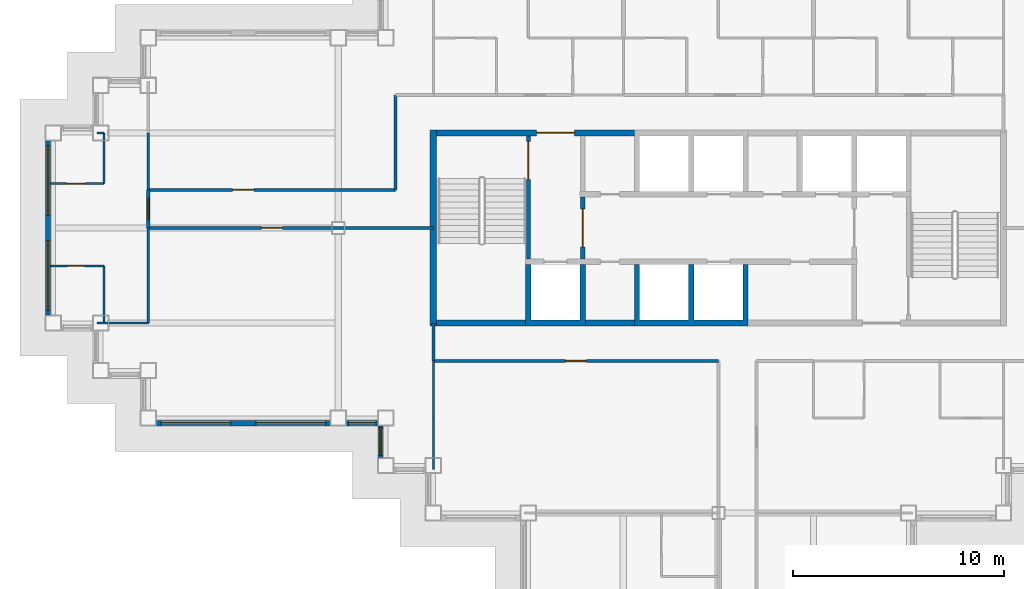
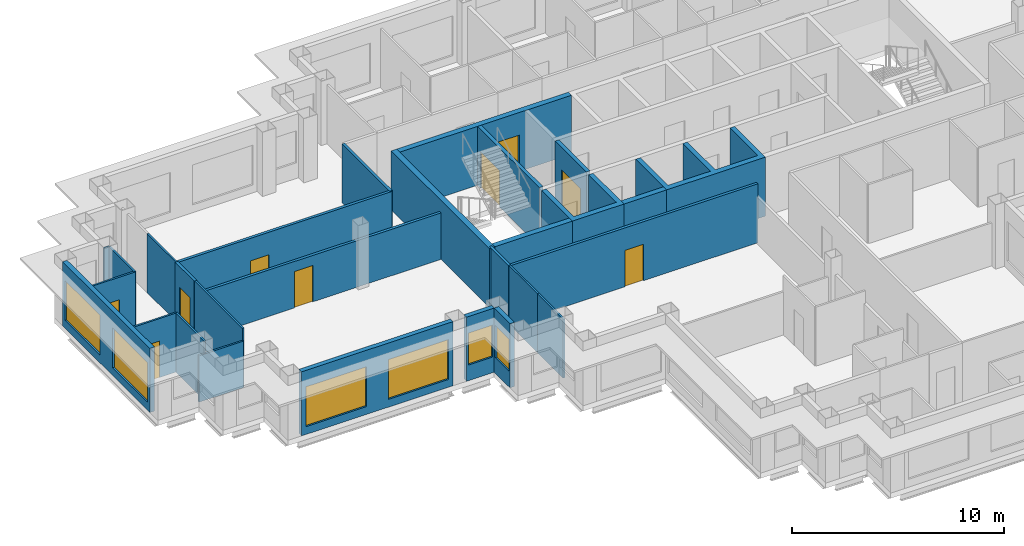
# One storey, part 4 of 13: 28 walls, 9 doors, 6 windows, 15 openings.
"""IFC4 building model written with IfcOpenShell, lengths in metres."""

from ifc_helpers import new_model, si_unit, direction, frame, frame_2d, origin, place, context, subcontext, project, spatial, polyline, rectangle, outline, extrude, material, layer, layer_set, type_object, element, fill, save


model = new_model("IFC4")

# Units and contexts
model_context = context("Model", 3, precision=1e-05, world=origin(), true_north=direction((0.0, 1.0)))
body_context = subcontext(model_context, "Body", "Model", "MODEL_VIEW")
ifc_project = project(units=[si_unit("LENGTHUNIT", "METRE"), si_unit("AREAUNIT", "SQUARE_METRE"), si_unit("VOLUMEUNIT", "CUBIC_METRE"), si_unit("PLANEANGLEUNIT", "RADIAN"), si_unit("MASSUNIT", "GRAM", prefix="KILO")], contexts=[model_context])

# Site, building, storey
site_placement = place(None, origin())
site = spatial("IfcSite", under=ifc_project, at=site_placement, CompositionType="ELEMENT")
building_placement = place(site_placement, origin())
building = spatial("IfcBuilding", under=site, at=building_placement, Name="Caravel Reach Hotel and Residences", CompositionType="ELEMENT")
storey_placement = place(building_placement, frame((0.0, 0.0, 169.10009765625)))
storey = spatial("IfcBuildingStorey", under=building, at=storey_placement, Name="L42", CompositionType="ELEMENT", Elevation=169.10009765625)

# Wall, opening, door
ifc_material_1 = material(Name="Gypsum board on steel stud", Category="steel")
ifc_layer_1 = layer(ifc_material_1, 0.10009765625)
ifc_layer_set_1 = layer_set([ifc_layer_1], Name="Bathroom pod wall 100 mm")
wall_type_1 = type_object("IfcWallType", Name="Bathroom pod wall 100 mm", PredefinedType="PARTITIONING", material=ifc_layer_set_1)
wall_1_placement = place(storey_placement, frame((-0.125, 25.199951171875, 0.0), z_axis=(0.0, 0.0, 1.0), x_axis=(1.0, 0.0, 0.0)))
wall_1 = element("IfcWall", 1, at=wall_1_placement, inside=storey, type_object=wall_type_1, Name="L42 wall w081", PredefinedType="PARTITIONING", context=body_context, shape_type="SweptSolid", body=[
    extrude(rectangle(XDim=2.52490234375, YDim=0.10009765625, at=frame_2d((1.262451171875, 0.0))), origin(), (0.0, 0.0, 1.0), 3.39990234375),
])
opening_1_placement = place(wall_1_placement, frame((0.800048828125, 0.0, 0.0)))
opening_1 = element("IfcOpeningElement", 2, at=opening_1_placement, cuts=wall_1, Name="Opening D42-041", PredefinedType="OPENING", context=body_context, shape_type="SweptSolid", body=[
    extrude(rectangle(XDim=0.800048828125, YDim=2.10009765625, at=frame_2d((0.39990234375, 1.050048828125))), frame((0.0, 0.06005859375, 0.0), z_axis=(0.0, -1.0, 0.0), x_axis=(1.0, 0.0, 0.0)), (0.0, 0.0, 1.0), 0.1201171875),
])
ifc_material_2 = material(Name="Timber and steel door leaf", Category="steel")
door_type_1 = type_object("IfcDoorType", Name="Bathroom door 800 x 2100", OperationType="SINGLE_SWING_LEFT", PredefinedType="DOOR", material=ifc_material_2)
door_1_placement = place(opening_1_placement, origin())
door_1 = element("IfcDoor", 3, at=door_1_placement, inside=storey, type_object=door_type_1, Name="door D42-041", OperationType="SINGLE_SWING_RIGHT", OverallHeight=2.10009765625, OverallWidth=0.800048828125, PredefinedType="DOOR", context=body_context, shape_type="SweptSolid", body=[
    extrude(rectangle(XDim=0.800048828125, YDim=2.10009765625, at=frame_2d((0.39990234375, 1.050048828125))), frame((0.0, 0.02490234375, 0.0), z_axis=(0.0, -1.0, 0.0), x_axis=(1.0, 0.0, 0.0)), (0.0, 0.0, 1.0), 0.050048828125),
])
fill(opening_1, door_1)

# Walls
wall_2_placement = place(storey_placement, frame((2.39990234375, 22.5, 0.0), z_axis=(0.0, 0.0, 1.0), x_axis=(0.0, 1.0, 0.0)))
element("IfcWall", 4, at=wall_2_placement, inside=storey, type_object=wall_type_1, Name="L42 wall w091", PredefinedType="PARTITIONING", context=body_context, shape_type="SweptSolid", body=[
    extrude(rectangle(XDim=2.699951171875, YDim=0.10009765625, at=frame_2d((1.35009765625, 0.0))), origin(), (0.0, 0.0, 1.0), 3.39990234375),
])
ifc_material_3 = material(Name="Concrete C60", Category="concrete")
ifc_layer_2 = layer(ifc_material_3, 0.300048828125)
ifc_layer_set_2 = layer_set([ifc_layer_2], Name="Core wall 300 mm EI 120")
wall_type_2 = type_object("IfcWallType", Name="Core wall 300 mm EI 120", PredefinedType="SHEAR", material=ifc_layer_set_2)
wall_3_placement = place(storey_placement, frame((18.14990234375, 22.5, 0.0), z_axis=(0.0, 0.0, 1.0), x_axis=(1.0, 0.0, 0.0)))
element("IfcWall", 5, at=wall_3_placement, inside=storey, type_object=wall_type_2, Name="L42 core wall S1", PredefinedType="SHEAR", context=body_context, shape_type="SweptSolid", body=[
    extrude(rectangle(XDim=4.22509765625, YDim=0.300048828125, at=frame_2d((2.112548828125, 0.0))), origin(), (0.0, 0.0, 1.0), 3.39990234375),
])
wall_4_placement = place(storey_placement, frame((25.196533203125, 22.5, 0.0), z_axis=(0.0, 0.0, 1.0), x_axis=(1.0, 0.0, 0.0)))
element("IfcWall", 6, at=wall_4_placement, inside=storey, type_object=wall_type_2, Name="L42 core wall S2", PredefinedType="SHEAR", context=body_context, shape_type="SweptSolid", body=[
    extrude(rectangle(XDim=2.3212890625, YDim=0.300048828125, at=frame_2d((1.16064453125, 0.0))), origin(), (0.0, 0.0, 1.0), 3.39990234375),
])

# Wall, opening, door
wall_5_placement = place(storey_placement, frame((18.14990234375, 31.5, 0.0), z_axis=(0.0, 0.0, 1.0), x_axis=(1.0, 0.0, 0.0)))
wall_5 = element("IfcWall", 7, at=wall_5_placement, inside=storey, type_object=wall_type_2, Name="L42 core wall N1", PredefinedType="SHEAR", context=body_context, shape_type="SweptSolid", body=[
    extrude(rectangle(XDim=9.367919921875, YDim=0.300048828125, at=frame_2d((4.68408203125, 0.0))), origin(), (0.0, 0.0, 1.0), 3.39990234375),
])
opening_2_placement = place(wall_5_placement, frame((4.735595703125, 0.0, 0.0)))
opening_2 = element("IfcOpeningElement", 8, at=opening_2_placement, cuts=wall_5, Name="Opening D42-014", PredefinedType="OPENING", context=body_context, shape_type="SweptSolid", body=[
    extrude(rectangle(XDim=1.800048828125, YDim=2.10009765625, at=frame_2d((0.89990234375, 1.050048828125))), frame((0.0, 0.159912109375, 0.0), z_axis=(0.0, -1.0, 0.0), x_axis=(1.0, 0.0, 0.0)), (0.0, 0.0, 1.0), 0.320068359375),
])
ifc_material_4 = material(Name="Steel fire door leaf", Category="steel")
door_type_2 = type_object("IfcDoorType", Name="Fire lobby door pair 1800 x 2100 EI 90", OperationType="DOUBLE_DOOR_SINGLE_SWING", PredefinedType="DOOR", material=ifc_material_4)
door_2_placement = place(opening_2_placement, origin())
door_2 = element("IfcDoor", 9, at=door_2_placement, inside=storey, type_object=door_type_2, Name="lobby N door pair to corridor", OperationType="DOUBLE_DOOR_SINGLE_SWING", OverallHeight=2.10009765625, OverallWidth=1.800048828125, PredefinedType="DOOR", context=body_context, shape_type="SweptSolid", body=[
    extrude(rectangle(XDim=1.800048828125, YDim=2.10009765625, at=frame_2d((0.89990234375, 1.050048828125))), frame((0.0, 0.02490234375, 0.0), z_axis=(0.0, -1.0, 0.0), x_axis=(1.0, 0.0, 0.0)), (0.0, 0.0, 1.0), 0.050048828125),
])
fill(opening_2, door_2)

# Wall
wall_6_placement = place(storey_placement, frame((18.0, 22.35009765625, 0.0), z_axis=(0.0, 0.0, 1.0), x_axis=(0.0, 1.0, 0.0)))
element("IfcWall", 10, at=wall_6_placement, inside=storey, type_object=wall_type_2, Name="L42 core wall W", PredefinedType="SHEAR", context=body_context, shape_type="SweptSolid", body=[
    extrude(rectangle(XDim=9.2998046875, YDim=0.300048828125, at=frame_2d((4.64990234375, 0.0))), origin(), (0.0, 0.0, 1.0), 3.39990234375),
])

# Wall, opening, door
ifc_material_5 = material(Name="Gypsum board on steel stud, fire-rated", Category="steel")
ifc_layer_3 = layer(ifc_material_5, 0.14990234375)
ifc_layer_set_3 = layer_set([ifc_layer_3], Name="Corridor wall 150 mm EI 60")
wall_type_3 = type_object("IfcWallType", Name="Corridor wall 150 mm EI 60", PredefinedType="PARTITIONING", material=ifc_layer_set_3)
wall_7_placement = place(storey_placement, frame((18.0, 20.699951171875, 0.0), z_axis=(0.0, 0.0, 1.0), x_axis=(1.0, 0.0, 0.0)))
wall_7 = element("IfcWall", 11, at=wall_7_placement, inside=storey, type_object=wall_type_3, Name="L42 wall w005", PredefinedType="PARTITIONING", context=body_context, shape_type="SweptSolid", body=[
    extrude(rectangle(XDim=13.5, YDim=0.14990234375, at=frame_2d((6.75, 0.0))), origin(), (0.0, 0.0, 1.0), 3.39990234375),
])
opening_3_placement = place(wall_7_placement, frame((6.25, 0.0, 0.0)))
opening_3 = element("IfcOpeningElement", 12, at=opening_3_placement, cuts=wall_7, Name="Opening D42-032", PredefinedType="OPENING", context=body_context, shape_type="SweptSolid", body=[
    extrude(rectangle(XDim=1.0, YDim=2.10009765625, at=frame_2d((0.5, 1.050048828125))), frame((0.0, 0.0849609375, 0.0), z_axis=(0.0, -1.0, 0.0), x_axis=(1.0, 0.0, 0.0)), (0.0, 0.0, 1.0), 0.169921875),
])
ifc_material_6 = material(Name="Steel fire door leaf", Category="steel")
door_type_3 = type_object("IfcDoorType", Name="Fire door 1000 x 2100 EI 60", OperationType="SINGLE_SWING_LEFT", PredefinedType="DOOR", material=ifc_material_6)
door_3_placement = place(opening_3_placement, origin())
door_3 = element("IfcDoor", 13, at=door_3_placement, inside=storey, type_object=door_type_3, Name="door D42-032", OperationType="SINGLE_SWING_RIGHT", OverallHeight=2.10009765625, OverallWidth=1.0, PredefinedType="DOOR", context=body_context, shape_type="SweptSolid", body=[
    extrude(rectangle(XDim=1.0, YDim=2.10009765625, at=frame_2d((0.5, 1.050048828125))), frame((0.0, 0.02490234375, 0.0), z_axis=(0.0, -1.0, 0.0), x_axis=(1.0, 0.0, 0.0)), (0.0, 0.0, 1.0), 0.050048828125),
])
fill(opening_3, door_3)

wall_8_placement = place(storey_placement, frame((4.5, 27.0, 0.0), z_axis=(0.0, 0.0, 1.0), x_axis=(1.0, 0.0, 0.0)))
wall_8 = element("IfcWall", 14, at=wall_8_placement, inside=storey, type_object=wall_type_3, Name="L42 wall w008", PredefinedType="PARTITIONING", context=body_context, shape_type="SweptSolid", body=[
    extrude(rectangle(XDim=13.5, YDim=0.14990234375, at=frame_2d((6.75, 0.0))), origin(), (0.0, 0.0, 1.0), 2.679931640625),
])
opening_4_placement = place(wall_8_placement, frame((5.35009765625, 0.0, 0.0)))
opening_4 = element("IfcOpeningElement", 15, at=opening_4_placement, cuts=wall_8, Name="Opening D42-029", PredefinedType="OPENING", context=body_context, shape_type="SweptSolid", body=[
    extrude(rectangle(XDim=1.0, YDim=2.10009765625, at=frame_2d((0.5, 1.050048828125))), frame((0.0, 0.0849609375, 0.0), z_axis=(0.0, -1.0, 0.0), x_axis=(1.0, 0.0, 0.0)), (0.0, 0.0, 1.0), 0.169921875),
])
door_4_placement = place(opening_4_placement, origin())
door_4 = element("IfcDoor", 16, at=door_4_placement, inside=storey, type_object=door_type_3, Name="door D42-029", OperationType="SINGLE_SWING_LEFT", OverallHeight=2.10009765625, OverallWidth=1.0, PredefinedType="DOOR", context=body_context, shape_type="SweptSolid", body=[
    extrude(rectangle(XDim=1.0, YDim=2.10009765625, at=frame_2d((0.5, 1.050048828125))), frame((0.0, 0.02490234375, 0.0), z_axis=(0.0, -1.0, 0.0), x_axis=(1.0, 0.0, 0.0)), (0.0, 0.0, 1.0), 0.050048828125),
])
fill(opening_4, door_4)

wall_9_placement = place(storey_placement, frame((4.5, 28.800048828125, 0.0), z_axis=(0.0, 0.0, 1.0), x_axis=(1.0, 0.0, 0.0)))
wall_9 = element("IfcWall", 17, at=wall_9_placement, inside=storey, type_object=wall_type_3, Name="L42 wall w010", PredefinedType="PARTITIONING", context=body_context, shape_type="SweptSolid", body=[
    extrude(rectangle(XDim=11.698974609375, YDim=0.14990234375, at=frame_2d((5.849609375, 0.0))), origin(), (0.0, 0.0, 1.0), 3.39990234375),
])
opening_5_placement = place(wall_9_placement, frame((4.0, 0.0, 0.0)))
opening_5 = element("IfcOpeningElement", 18, at=opening_5_placement, cuts=wall_9, Name="Opening D42-028", PredefinedType="OPENING", context=body_context, shape_type="SweptSolid", body=[
    extrude(rectangle(XDim=1.0, YDim=2.10009765625, at=frame_2d((0.5, 1.050048828125))), frame((0.0, 0.0849609375, 0.0), z_axis=(0.0, -1.0, 0.0), x_axis=(1.0, 0.0, 0.0)), (0.0, 0.0, 1.0), 0.169921875),
])
door_5_placement = place(opening_5_placement, origin())
door_5 = element("IfcDoor", 19, at=door_5_placement, inside=storey, type_object=door_type_3, Name="door D42-028", OperationType="SINGLE_SWING_RIGHT", OverallHeight=2.10009765625, OverallWidth=1.0, PredefinedType="DOOR", context=body_context, shape_type="SweptSolid", body=[
    extrude(rectangle(XDim=1.0, YDim=2.10009765625, at=frame_2d((0.5, 1.050048828125))), frame((0.0, 0.02490234375, 0.0), z_axis=(0.0, -1.0, 0.0), x_axis=(1.0, 0.0, 0.0)), (0.0, 0.0, 1.0), 0.050048828125),
])
fill(opening_5, door_5)

# Walls
wall_10_placement = place(storey_placement, frame((16.199951171875, 28.801025390625, 0.0), z_axis=(0.0, 0.0, 1.0), x_axis=(0.0, 1.0, 0.0)))
element("IfcWall", 20, at=wall_10_placement, inside=storey, type_object=wall_type_3, Name="L42 wall w020", PredefinedType="PARTITIONING", context=body_context, shape_type="SweptSolid", body=[
    extrude(rectangle(XDim=4.4990234375, YDim=0.14990234375, at=frame_2d((2.24951171875, 0.0))), origin(), (0.0, 0.0, 1.0), 3.39990234375),
])
wall_11_placement = place(storey_placement, frame((18.0, 20.699951171875, 0.0), z_axis=(0.0, 0.0, 1.0), x_axis=(0.0, 1.0, 0.0)))
element("IfcWall", 21, at=wall_11_placement, inside=storey, type_object=wall_type_3, Name="L42 wall w021", PredefinedType="PARTITIONING", context=body_context, shape_type="SweptSolid", body=[
    extrude(rectangle(XDim=1.800048828125, YDim=0.14990234375, at=frame_2d((0.89990234375, 0.0))), origin(), (0.0, 0.0, 1.0), 3.39990234375),
])

# Wall, opening, door
wall_12_placement = place(storey_placement, frame((4.5, 27.0, 0.0), z_axis=(0.0, 0.0, 1.0), x_axis=(0.0, 1.0, 0.0)))
wall_12 = element("IfcWall", 22, at=wall_12_placement, inside=storey, type_object=wall_type_3, Name="L42 wall w027", PredefinedType="PARTITIONING", context=body_context, shape_type="SweptSolid", body=[
    extrude(rectangle(XDim=1.800048828125, YDim=0.14990234375, at=frame_2d((0.89990234375, 0.0))), origin(), (0.0, 0.0, 1.0), 3.39990234375),
])
opening_6_placement = place(wall_12_placement, frame((0.39990234375, 0.0, 0.0)))
opening_6 = element("IfcOpeningElement", 23, at=opening_6_placement, cuts=wall_12, Name="Opening D42-040", PredefinedType="OPENING", context=body_context, shape_type="SweptSolid", body=[
    extrude(rectangle(XDim=1.0, YDim=2.199951171875, at=frame_2d((0.5, 1.10009765625))), frame((0.0, 0.0849609375, 0.0), z_axis=(0.0, -1.0, 0.0), x_axis=(1.0, 0.0, 0.0)), (0.0, 0.0, 1.0), 0.169921875),
])
ifc_material_7 = material(Name="Steel fire door leaf", Category="steel")
door_type_4 = type_object("IfcDoorType", Name="Flat entrance door 1000 x 2200 EI 60", OperationType="SINGLE_SWING_LEFT", PredefinedType="DOOR", material=ifc_material_7)
door_6_placement = place(opening_6_placement, origin())
door_6 = element("IfcDoor", 24, at=door_6_placement, inside=storey, type_object=door_type_4, Name="door D42-040", OperationType="SINGLE_SWING_RIGHT", OverallHeight=2.199951171875, OverallWidth=1.0, PredefinedType="DOOR", context=body_context, shape_type="SweptSolid", body=[
    extrude(rectangle(XDim=1.0, YDim=2.199951171875, at=frame_2d((0.5, 1.10009765625))), frame((0.0, 0.02490234375, 0.0), z_axis=(0.0, -1.0, 0.0), x_axis=(1.0, 0.0, 0.0)), (0.0, 0.0, 1.0), 0.050048828125),
])
fill(opening_6, door_6)

# Wall, openings, windows
ifc_material_8 = material(Name="Insulated rainscreen wall, aluminium cladding", Category="aluminium")
ifc_layer_4 = layer(ifc_material_8, 0.25)
ifc_layer_set_4 = layer_set([ifc_layer_4], Name="EW1 Tower rainscreen wall")
wall_type_4 = type_object("IfcWallType", Name="EW1 Tower rainscreen wall", PredefinedType="SOLIDWALL", material=ifc_layer_set_4)
wall_13_placement = place(storey_placement, frame((-0.25, 31.125, 0.0), z_axis=(0.0, 0.0, 1.0), x_axis=(0.0, -1.0, 0.0)))
wall_13 = element("IfcWall", 25, at=wall_13_placement, inside=storey, type_object=wall_type_4, Name="External wall L42 W38.1", PredefinedType="SOLIDWALL", context=body_context, shape_type="SweptSolid", body=[
    extrude(rectangle(XDim=8.25, YDim=0.25, at=frame_2d((4.125, 0.0))), origin(), (0.0, 0.0, 1.0), 3.699951171875),
])
opening_7_placement = place(wall_13_placement, frame((0.22509765625, 0.0, 0.449951171875)))
opening_7 = element("IfcOpeningElement", 26, at=opening_7_placement, cuts=wall_13, Name="Opening WN15", PredefinedType="OPENING", context=body_context, shape_type="SweptSolid", body=[
    extrude(rectangle(XDim=3.300048828125, YDim=2.300048828125, at=frame_2d((1.64990234375, 1.14990234375))), frame((0.0, 0.135009765625, 0.0), z_axis=(0.0, -1.0, 0.0), x_axis=(1.0, 0.0, 0.0)), (0.0, 0.0, 1.0), 0.27001953125),
])
opening_8_placement = place(wall_13_placement, frame((4.72509765625, 0.0, 0.449951171875)))
opening_8 = element("IfcOpeningElement", 27, at=opening_8_placement, cuts=wall_13, Name="Opening WN15", PredefinedType="OPENING", context=body_context, shape_type="SweptSolid", body=[
    extrude(rectangle(XDim=3.300048828125, YDim=2.300048828125, at=frame_2d((1.64990234375, 1.14990234375))), frame((0.0, 0.135009765625, 0.0), z_axis=(0.0, -1.0, 0.0), x_axis=(1.0, 0.0, 0.0)), (0.0, 0.0, 1.0), 0.27001953125),
])
ifc_material_9 = material(Name="Dark low-e glazing in black aluminium frame", Category="aluminium")
window_type_1 = type_object("IfcWindowType", Name="Residence living window 3300 x 2300", PartitioningType="SINGLE_PANEL", PredefinedType="WINDOW", material=ifc_material_9)
window_1_placement = place(opening_7_placement, origin())
window_1 = element("IfcWindow", 28, at=window_1_placement, inside=storey, type_object=window_type_1, Name="Window L42 W38.1.1", OverallHeight=2.300048828125, OverallWidth=3.300048828125, PartitioningType="SINGLE_PANEL", PredefinedType="WINDOW", context=body_context, shape_type="SweptSolid", body=[
    extrude(rectangle(XDim=3.300048828125, YDim=2.300048828125, at=frame_2d((1.64990234375, 1.14990234375))), frame((0.0, 0.030029296875, 0.0), z_axis=(0.0, -1.0, 0.0), x_axis=(1.0, 0.0, 0.0)), (0.0, 0.0, 1.0), 0.06005859375),
])
fill(opening_7, window_1)
window_2_placement = place(opening_8_placement, origin())
window_2 = element("IfcWindow", 29, at=window_2_placement, inside=storey, type_object=window_type_1, Name="Window L42 W38.1.2", OverallHeight=2.300048828125, OverallWidth=3.300048828125, PartitioningType="SINGLE_PANEL", PredefinedType="WINDOW", context=body_context, shape_type="SweptSolid", body=[
    extrude(rectangle(XDim=3.300048828125, YDim=2.300048828125, at=frame_2d((1.64990234375, 1.14990234375))), frame((0.0, 0.030029296875, 0.0), z_axis=(0.0, -1.0, 0.0), x_axis=(1.0, 0.0, 0.0)), (0.0, 0.0, 1.0), 0.06005859375),
])
fill(opening_8, window_2)

wall_14_placement = place(storey_placement, frame((4.875, 17.75, 0.0), z_axis=(0.0, 0.0, 1.0), x_axis=(1.0, 0.0, 0.0)))
wall_14 = element("IfcWall", 30, at=wall_14_placement, inside=storey, type_object=wall_type_4, Name="External wall L42 S43.1", PredefinedType="SOLIDWALL", context=body_context, shape_type="SweptSolid", body=[
    extrude(rectangle(XDim=8.25, YDim=0.25, at=frame_2d((4.125, 0.0))), origin(), (0.0, 0.0, 1.0), 3.699951171875),
])
opening_9_placement = place(wall_14_placement, frame((0.22509765625, 0.0, 0.449951171875)))
opening_9 = element("IfcOpeningElement", 31, at=opening_9_placement, cuts=wall_14, Name="Opening WN15", PredefinedType="OPENING", context=body_context, shape_type="SweptSolid", body=[
    extrude(rectangle(XDim=3.300048828125, YDim=2.300048828125, at=frame_2d((1.64990234375, 1.14990234375))), frame((0.0, 0.135009765625, 0.0), z_axis=(0.0, -1.0, 0.0), x_axis=(1.0, 0.0, 0.0)), (0.0, 0.0, 1.0), 0.27001953125),
])
opening_10_placement = place(wall_14_placement, frame((4.72509765625, 0.0, 0.449951171875)))
opening_10 = element("IfcOpeningElement", 32, at=opening_10_placement, cuts=wall_14, Name="Opening WN15", PredefinedType="OPENING", context=body_context, shape_type="SweptSolid", body=[
    extrude(rectangle(XDim=3.300048828125, YDim=2.300048828125, at=frame_2d((1.64990234375, 1.14990234375))), frame((0.0, 0.135009765625, 0.0), z_axis=(0.0, -1.0, 0.0), x_axis=(1.0, 0.0, 0.0)), (0.0, 0.0, 1.0), 0.27001953125),
])
window_3_placement = place(opening_9_placement, origin())
window_3 = element("IfcWindow", 33, at=window_3_placement, inside=storey, type_object=window_type_1, Name="Window L42 S43.1.1", OverallHeight=2.300048828125, OverallWidth=3.300048828125, PartitioningType="SINGLE_PANEL", PredefinedType="WINDOW", context=body_context, shape_type="SweptSolid", body=[
    extrude(rectangle(XDim=3.300048828125, YDim=2.300048828125, at=frame_2d((1.64990234375, 1.14990234375))), frame((0.0, 0.030029296875, 0.0), z_axis=(0.0, -1.0, 0.0), x_axis=(1.0, 0.0, 0.0)), (0.0, 0.0, 1.0), 0.06005859375),
])
fill(opening_9, window_3)
window_4_placement = place(opening_10_placement, origin())
window_4 = element("IfcWindow", 34, at=window_4_placement, inside=storey, type_object=window_type_1, Name="Window L42 S43.1.2", OverallHeight=2.300048828125, OverallWidth=3.300048828125, PartitioningType="SINGLE_PANEL", PredefinedType="WINDOW", context=body_context, shape_type="SweptSolid", body=[
    extrude(rectangle(XDim=3.300048828125, YDim=2.300048828125, at=frame_2d((1.64990234375, 1.14990234375))), frame((0.0, 0.030029296875, 0.0), z_axis=(0.0, -1.0, 0.0), x_axis=(1.0, 0.0, 0.0)), (0.0, 0.0, 1.0), 0.06005859375),
])
fill(opening_10, window_4)

# Wall, opening, window
wall_15_placement = place(storey_placement, frame((13.875, 17.75, 0.0), z_axis=(0.0, 0.0, 1.0), x_axis=(1.0, 0.0, 0.0)))
wall_15 = element("IfcWall", 35, at=wall_15_placement, inside=storey, type_object=wall_type_4, Name="External wall L42 S43.2", PredefinedType="SOLIDWALL", context=body_context, shape_type="SweptSolid", body=[
    extrude(rectangle(XDim=1.5, YDim=0.25, at=frame_2d((0.75, 0.0))), origin(), (0.0, 0.0, 1.0), 3.699951171875),
])
opening_11_placement = place(wall_15_placement, frame((0.10009765625, 0.0, 0.89990234375)))
opening_11 = element("IfcOpeningElement", 36, at=opening_11_placement, cuts=wall_15, Name="Opening WN16", PredefinedType="OPENING", context=body_context, shape_type="SweptSolid", body=[
    extrude(rectangle(XDim=1.300048828125, YDim=1.85009765625, at=frame_2d((0.64990234375, 0.925048828125))), frame((0.0, 0.135009765625, 0.0), z_axis=(0.0, -1.0, 0.0), x_axis=(1.0, 0.0, 0.0)), (0.0, 0.0, 1.0), 0.27001953125),
])
ifc_material_10 = material(Name="Dark low-e glazing in black aluminium frame", Category="aluminium")
window_type_2 = type_object("IfcWindowType", Name="Residence bedroom window 1300 x 1850", PartitioningType="SINGLE_PANEL", PredefinedType="WINDOW", material=ifc_material_10)
window_5_placement = place(opening_11_placement, origin())
window_5 = element("IfcWindow", 37, at=window_5_placement, inside=storey, type_object=window_type_2, Name="Window L42 S43.2.1", OverallHeight=1.85009765625, OverallWidth=1.300048828125, PartitioningType="SINGLE_PANEL", PredefinedType="WINDOW", context=body_context, shape_type="SweptSolid", body=[
    extrude(rectangle(XDim=1.300048828125, YDim=1.85009765625, at=frame_2d((0.64990234375, 0.925048828125))), frame((0.0, 0.030029296875, 0.0), z_axis=(0.0, -1.0, 0.0), x_axis=(1.0, 0.0, 0.0)), (0.0, 0.0, 1.0), 0.06005859375),
])
fill(opening_11, window_5)

wall_16_placement = place(storey_placement, frame((15.5, 17.625, 0.0), z_axis=(0.0, 0.0, 1.0), x_axis=(0.0, -1.0, 0.0)))
wall_16 = element("IfcWall", 38, at=wall_16_placement, inside=storey, type_object=wall_type_4, Name="External wall L42 W44.1", PredefinedType="SOLIDWALL", context=body_context, shape_type="SweptSolid", body=[
    extrude(rectangle(XDim=1.5, YDim=0.25, at=frame_2d((0.75, 0.0))), origin(), (0.0, 0.0, 1.0), 3.699951171875),
])
opening_12_placement = place(wall_16_placement, frame((0.10009765625, 0.0, 0.89990234375)))
opening_12 = element("IfcOpeningElement", 39, at=opening_12_placement, cuts=wall_16, Name="Opening WN16", PredefinedType="OPENING", context=body_context, shape_type="SweptSolid", body=[
    extrude(rectangle(XDim=1.300048828125, YDim=1.85009765625, at=frame_2d((0.64990234375, 0.925048828125))), frame((0.0, 0.135009765625, 0.0), z_axis=(0.0, -1.0, 0.0), x_axis=(1.0, 0.0, 0.0)), (0.0, 0.0, 1.0), 0.27001953125),
])
window_6_placement = place(opening_12_placement, origin())
window_6 = element("IfcWindow", 40, at=window_6_placement, inside=storey, type_object=window_type_2, Name="Window L42 W44.1.1", OverallHeight=1.85009765625, OverallWidth=1.300048828125, PartitioningType="SINGLE_PANEL", PredefinedType="WINDOW", context=body_context, shape_type="SweptSolid", body=[
    extrude(rectangle(XDim=1.300048828125, YDim=1.85009765625, at=frame_2d((0.64990234375, 0.925048828125))), frame((0.0, 0.030029296875, 0.0), z_axis=(0.0, -1.0, 0.0), x_axis=(1.0, 0.0, 0.0)), (0.0, 0.0, 1.0), 0.06005859375),
])
fill(opening_12, window_6)

# Wall, opening, door
ifc_material_11 = material(Name="Autoclaved aerated block wall")
ifc_layer_5 = layer(ifc_material_11, 0.199951171875)
ifc_layer_set_5 = layer_set([ifc_layer_5], Name="Fire lobby wall 200 mm EI 120")
wall_type_5 = type_object("IfcWallType", Name="Fire lobby wall 200 mm EI 120", PredefinedType="PARTITIONING", material=ifc_layer_set_5)
wall_17_placement = place(storey_placement, frame((25.071533203125, 25.52490234375, 0.0), z_axis=(0.0, 0.0, 1.0), x_axis=(0.0, 1.0, 0.0)))
wall_17 = element("IfcWall", 41, at=wall_17_placement, inside=storey, type_object=wall_type_5, Name="L42 lobby W wall", PredefinedType="PARTITIONING", context=body_context, shape_type="SweptSolid", body=[
    extrude(rectangle(XDim=2.9501953125, YDim=0.199951171875, at=frame_2d((1.47509765625, 0.0))), origin(), (0.0, 0.0, 1.0), 3.39990234375),
])
opening_13_placement = place(wall_17_placement, frame((0.574951171875, 0.0, 0.0)))
opening_13 = element("IfcOpeningElement", 42, at=opening_13_placement, cuts=wall_17, Name="Opening D42-012", PredefinedType="OPENING", context=body_context, shape_type="SweptSolid", body=[
    extrude(rectangle(XDim=1.800048828125, YDim=2.10009765625, at=frame_2d((0.89990234375, 1.050048828125))), frame((0.0, 0.10986328125, 0.0), z_axis=(0.0, -1.0, 0.0), x_axis=(1.0, 0.0, 0.0)), (0.0, 0.0, 1.0), 0.219970703125),
])
door_7_placement = place(opening_13_placement, origin())
door_7 = element("IfcDoor", 43, at=door_7_placement, inside=storey, type_object=door_type_2, Name="lobby W door pair", OperationType="DOUBLE_DOOR_SINGLE_SWING", OverallHeight=2.10009765625, OverallWidth=1.800048828125, PredefinedType="DOOR", context=body_context, shape_type="SweptSolid", body=[
    extrude(rectangle(XDim=1.800048828125, YDim=2.10009765625, at=frame_2d((0.89990234375, 1.050048828125))), frame((0.0, 0.02490234375, 0.0), z_axis=(0.0, -1.0, 0.0), x_axis=(1.0, 0.0, 0.0)), (0.0, 0.0, 1.0), 0.050048828125),
])
fill(opening_13, door_7)

# Wall
ifc_material_12 = material(Name="Gypsum board on steel stud", Category="steel")
ifc_layer_6 = layer(ifc_material_12, 0.10009765625)
ifc_layer_set_6 = layer_set([ifc_layer_6], Name="Partition 100 mm")
wall_type_6 = type_object("IfcWallType", Name="Partition 100 mm", PredefinedType="PARTITIONING", material=ifc_layer_set_6)
wall_18_placement = place(storey_placement, frame((2.06005859375, 22.5, 0.0), z_axis=(0.0, 0.0, 1.0), x_axis=(1.0, 0.0, 0.0)))
element("IfcWall", 44, at=wall_18_placement, inside=storey, type_object=wall_type_6, Name="L42 wall w039", PredefinedType="PARTITIONING", context=body_context, shape_type="SweptSolid", body=[
    extrude(rectangle(XDim=2.43896484375, YDim=0.10009765625, at=frame_2d((1.219482421875, 0.0))), origin(), (0.0, 0.0, 1.0), 2.679931640625),
])

# Wall, opening, door
wall_19_placement = place(storey_placement, frame((-0.125, 29.10009765625, 0.0), z_axis=(0.0, 0.0, 1.0), x_axis=(1.0, 0.0, 0.0)))
wall_19 = element("IfcWall", 45, at=wall_19_placement, inside=storey, type_object=wall_type_6, Name="L42 wall w041", PredefinedType="PARTITIONING", context=body_context, shape_type="SweptSolid", body=[
    extrude(rectangle(XDim=2.52490234375, YDim=0.10009765625, at=frame_2d((1.262451171875, 0.0))), origin(), (0.0, 0.0, 1.0), 3.39990234375),
])
opening_14_placement = place(wall_19_placement, frame((0.75, 0.0, 0.0)))
opening_14 = element("IfcOpeningElement", 46, at=opening_14_placement, cuts=wall_19, Name="Opening D42-042", PredefinedType="OPENING", context=body_context, shape_type="SweptSolid", body=[
    extrude(rectangle(XDim=0.89990234375, YDim=2.10009765625, at=frame_2d((0.449951171875, 1.050048828125))), frame((0.0, 0.06005859375, 0.0), z_axis=(0.0, -1.0, 0.0), x_axis=(1.0, 0.0, 0.0)), (0.0, 0.0, 1.0), 0.1201171875),
])
ifc_material_13 = material(Name="Timber and steel door leaf", Category="steel")
door_type_5 = type_object("IfcDoorType", Name="Door 900 x 2100 timber", OperationType="SINGLE_SWING_LEFT", PredefinedType="DOOR", material=ifc_material_13)
door_8_placement = place(opening_14_placement, origin())
door_8 = element("IfcDoor", 47, at=door_8_placement, inside=storey, type_object=door_type_5, Name="door D42-042", OperationType="SINGLE_SWING_RIGHT", OverallHeight=2.10009765625, OverallWidth=0.89990234375, PredefinedType="DOOR", context=body_context, shape_type="SweptSolid", body=[
    extrude(rectangle(XDim=0.89990234375, YDim=2.10009765625, at=frame_2d((0.449951171875, 1.050048828125))), frame((0.0, 0.02490234375, 0.0), z_axis=(0.0, -1.0, 0.0), x_axis=(1.0, 0.0, 0.0)), (0.0, 0.0, 1.0), 0.050048828125),
])
fill(opening_14, door_8)

# Walls
wall_20_placement = place(storey_placement, frame((2.06005859375, 31.5, 0.0), z_axis=(0.0, 0.0, 1.0), x_axis=(1.0, 0.0, 0.0)))
element("IfcWall", 48, at=wall_20_placement, inside=storey, type_object=wall_type_6, Name="L42 wall w043", PredefinedType="PARTITIONING", context=body_context, shape_type="SweptSolid", body=[
    extrude(rectangle(XDim=0.33984375, YDim=0.10009765625, at=frame_2d((0.169921875, 0.0))), origin(), (0.0, 0.0, 1.0), 3.39990234375),
])
wall_21_placement = place(storey_placement, frame((18.0, 15.56005859375, 0.0), z_axis=(0.0, 0.0, 1.0), x_axis=(0.0, 1.0, 0.0)))
element("IfcWall", 49, at=wall_21_placement, inside=storey, type_object=wall_type_6, Name="L42 wall w053", PredefinedType="PARTITIONING", context=body_context, shape_type="SweptSolid", body=[
    extrude(rectangle(XDim=2.43896484375, YDim=0.10009765625, at=frame_2d((1.219482421875, 0.0))), origin(), (0.0, 0.0, 1.0), 3.39990234375),
])
wall_22_placement = place(storey_placement, frame((18.0, 18.0, 0.0), z_axis=(0.0, 0.0, 1.0), x_axis=(0.0, 1.0, 0.0)))
element("IfcWall", 50, at=wall_22_placement, inside=storey, type_object=wall_type_6, Name="L42 wall w054", PredefinedType="PARTITIONING", context=body_context, shape_type="SweptSolid", body=[
    extrude(rectangle(XDim=2.699951171875, YDim=0.10009765625, at=frame_2d((1.35009765625, 0.0))), origin(), (0.0, 0.0, 1.0), 3.39990234375),
])
wall_23_placement = place(storey_placement, frame((2.39990234375, 29.10009765625, 0.0), z_axis=(0.0, 0.0, 1.0), x_axis=(0.0, 1.0, 0.0)))
element("IfcWall", 51, at=wall_23_placement, inside=storey, type_object=wall_type_6, Name="L42 wall w055", PredefinedType="PARTITIONING", context=body_context, shape_type="SweptSolid", body=[
    extrude(rectangle(XDim=2.39990234375, YDim=0.10009765625, at=frame_2d((1.199951171875, 0.0))), origin(), (0.0, 0.0, 1.0), 3.39990234375),
])
wall_24_placement = place(storey_placement, frame((4.5, 28.800048828125, 0.0), z_axis=(0.0, 0.0, 1.0), x_axis=(0.0, 1.0, 0.0)))
element("IfcWall", 52, at=wall_24_placement, inside=storey, type_object=wall_type_6, Name="L42 wall w064", PredefinedType="PARTITIONING", context=body_context, shape_type="SweptSolid", body=[
    extrude(rectangle(XDim=2.699951171875, YDim=0.10009765625, at=frame_2d((1.35009765625, 0.0))), origin(), (0.0, 0.0, 1.0), 3.39990234375),
])
wall_25_placement = place(storey_placement, frame((4.5, 22.5, 0.0), z_axis=(0.0, 0.0, 1.0), x_axis=(0.0, 1.0, 0.0)))
element("IfcWall", 53, at=wall_25_placement, inside=storey, type_object=wall_type_6, Name="L42 wall w066", PredefinedType="PARTITIONING", context=body_context, shape_type="SweptSolid", body=[
    extrude(rectangle(XDim=4.5, YDim=0.10009765625, at=frame_2d((2.25, 0.0))), origin(), (0.0, 0.0, 1.0), 3.39990234375),
])
ifc_material_14 = material(Name="Concrete C60", Category="concrete")
ifc_layer_7 = layer(ifc_material_14, 0.25)
ifc_layer_set_7 = layer_set([ifc_layer_7], Name="Shaft wall 250 mm EI 120")
wall_type_7 = type_object("IfcWallType", Name="Shaft wall 250 mm EI 120", PredefinedType="SHEAR", material=ifc_layer_set_7)
wall_26_placement = place(storey_placement, origin())
element("IfcWall", 54, at=wall_26_placement, inside=storey, type_object=wall_type_7, Name="L42 lift shaft wall S1", PredefinedType="SHEAR", context=body_context, shape_type="SweptSolid", body=[
    extrude(outline(polyline([(22.375, 22.35009765625), (25.196533203125, 22.35009765625), (25.196533203125, 25.27490234375), (24.946533203125, 25.27490234375), (24.946533203125, 22.64990234375), (22.625, 22.64990234375), (22.625, 25.27490234375), (22.375, 25.27490234375), (22.375, 22.35009765625)])), origin(), (0.0, 0.0, 1.0), 3.39990234375),
])
wall_27_placement = place(storey_placement, origin())
element("IfcWall", 55, at=wall_27_placement, inside=storey, type_object=wall_type_7, Name="L42 lift shaft wall S2", PredefinedType="SHEAR", context=body_context, shape_type="SweptSolid", body=[
    extrude(outline(polyline([(27.517822265625, 22.35009765625), (32.91064453125, 22.35009765625), (32.91064453125, 25.27490234375), (32.66064453125, 25.27490234375), (32.66064453125, 22.64990234375), (30.33935546875, 22.64990234375), (30.33935546875, 25.27490234375), (30.08935546875, 25.27490234375), (30.08935546875, 22.64990234375), (27.767822265625, 22.64990234375), (27.767822265625, 25.27490234375), (27.517822265625, 25.27490234375), (27.517822265625, 22.35009765625)])), origin(), (0.0, 0.0, 1.0), 3.39990234375),
])

# Wall, opening, door
ifc_material_15 = material(Name="Concrete C60", Category="concrete")
ifc_layer_8 = layer(ifc_material_15, 0.199951171875)
ifc_layer_set_8 = layer_set([ifc_layer_8], Name="Stair enclosure wall 200 mm EI 120")
wall_type_8 = type_object("IfcWallType", Name="Stair enclosure wall 200 mm EI 120", PredefinedType="SHEAR", material=ifc_layer_set_8)
wall_28_placement = place(storey_placement, frame((22.5, 31.35009765625, 0.0), z_axis=(0.0, 0.0, 1.0), x_axis=(0.0, -1.0, 0.0)))
wall_28 = element("IfcWall", 56, at=wall_28_placement, inside=storey, type_object=wall_type_8, Name="L42 stair A wall", PredefinedType="SHEAR", context=body_context, shape_type="SweptSolid", body=[
    extrude(rectangle(XDim=5.8251953125, YDim=0.199951171875, at=frame_2d((2.91259765625, 0.0))), origin(), (0.0, 0.0, 1.0), 3.39990234375),
])
opening_15_placement = place(wall_28_placement, frame((0.25, 0.0, 0.0)))
opening_15 = element("IfcOpeningElement", 57, at=opening_15_placement, cuts=wall_28, Name="Opening D42-010", PredefinedType="OPENING", context=body_context, shape_type="SweptSolid", body=[
    extrude(rectangle(XDim=1.800048828125, YDim=2.10009765625, at=frame_2d((0.89990234375, 1.050048828125))), frame((0.0, 0.10986328125, 0.0), z_axis=(0.0, -1.0, 0.0), x_axis=(1.0, 0.0, 0.0)), (0.0, 0.0, 1.0), 0.219970703125),
])
ifc_material_16 = material(Name="Steel fire door leaf", Category="steel")
door_type_6 = type_object("IfcDoorType", Name="Stair door pair 1800 x 2100 EI 90", OperationType="DOUBLE_DOOR_SINGLE_SWING", PredefinedType="DOOR", material=ifc_material_16)
door_9_placement = place(opening_15_placement, origin())
door_9 = element("IfcDoor", 58, at=door_9_placement, inside=storey, type_object=door_type_6, Name="stair A door pair", OperationType="DOUBLE_DOOR_SINGLE_SWING", OverallHeight=2.10009765625, OverallWidth=1.800048828125, PredefinedType="DOOR", context=body_context, shape_type="SweptSolid", body=[
    extrude(rectangle(XDim=1.800048828125, YDim=2.10009765625, at=frame_2d((0.89990234375, 1.050048828125))), frame((0.0, 0.02490234375, 0.0), z_axis=(0.0, -1.0, 0.0), x_axis=(1.0, 0.0, 0.0)), (0.0, 0.0, 1.0), 0.050048828125),
])
fill(opening_15, door_9)

save(model, "model.ifc")
